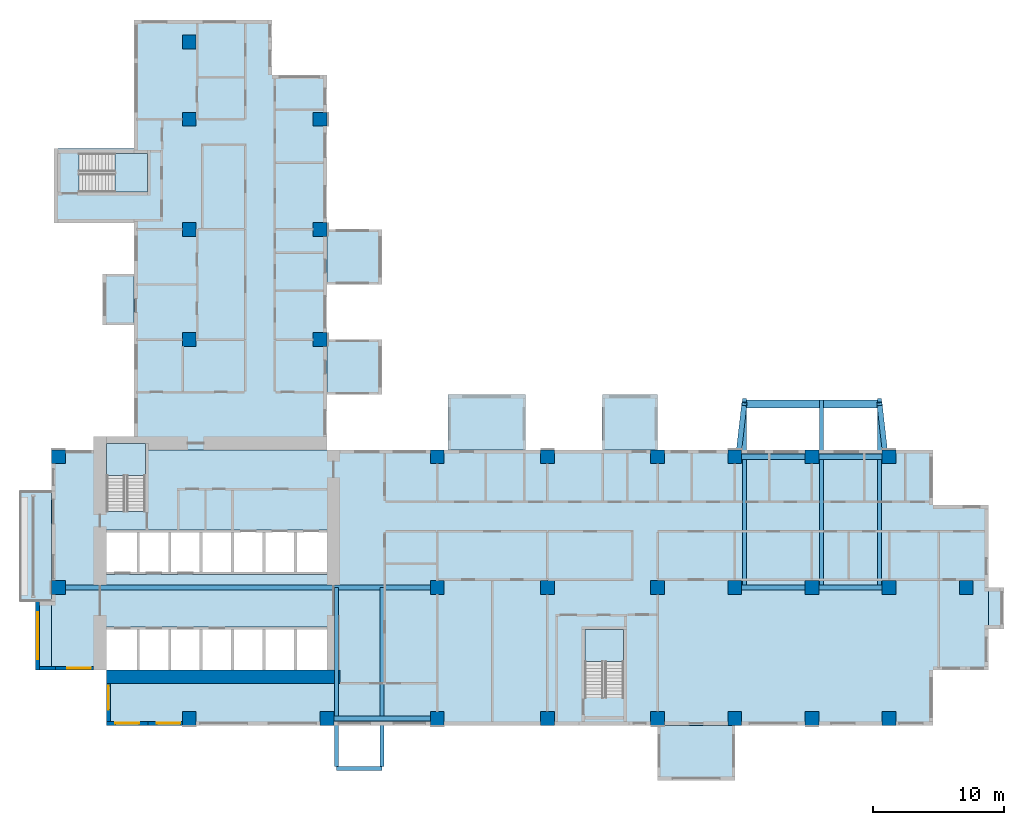
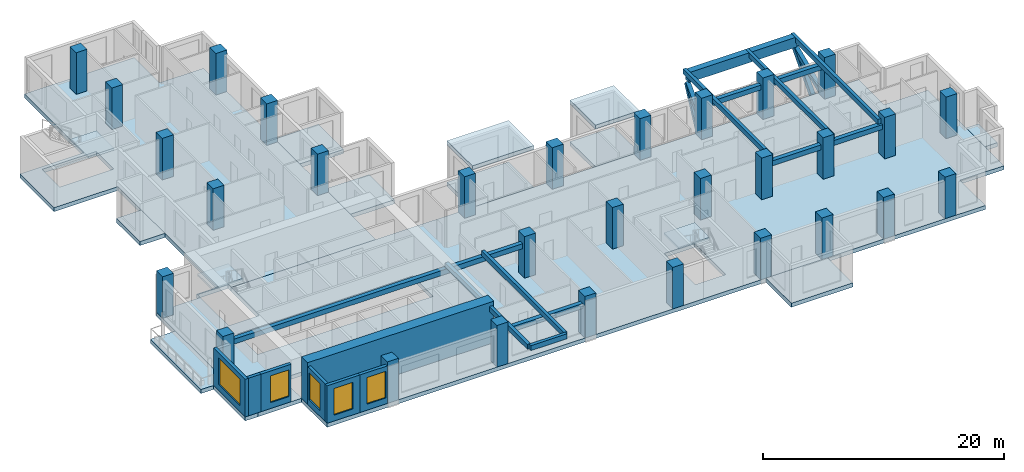
# One storey, part 1 of 15: 30 columns, 16 slabs, 13 beams, 7 walls, 5 windows, 4 members, 5 openings, 3 elements without a shape of their own.
"""IFC4 building model written with IfcOpenShell, lengths in metres."""

from ifc_helpers import new_model, si_unit, direction, frame, frame_2d, origin, origin_2d, place, context, subcontext, project, spatial, polyline, rectangle, hollow_rectangle, outline, extrude, source, transform, mapped, material, layer, layer_set, material_profile, profile_set, type_object, element, fill, aggregate, save


model = new_model("IFC4")

# Units and contexts
model_context = context("Model", 3, precision=1e-05, world=origin(), true_north=direction((0.0, 1.0)))
body_context = subcontext(model_context, "Body", "Model", "MODEL_VIEW")
ifc_project = project(units=[si_unit("LENGTHUNIT", "METRE"), si_unit("AREAUNIT", "SQUARE_METRE"), si_unit("VOLUMEUNIT", "CUBIC_METRE"), si_unit("PLANEANGLEUNIT", "RADIAN"), si_unit("MASSUNIT", "GRAM", prefix="KILO")], contexts=[model_context])

# Site, building, storey
site_placement = place(None, origin())
site = spatial("IfcSite", under=ifc_project, at=site_placement, CompositionType="ELEMENT")
building_placement = place(site_placement, origin())
building = spatial("IfcBuilding", under=site, at=building_placement, Name="Aurelian Terraces", CompositionType="ELEMENT")
storey_placement = place(building_placement, frame((0.0, 0.0, 107.7)))
storey = spatial("IfcBuildingStorey", under=building, at=storey_placement, Name="L23", CompositionType="ELEMENT", Elevation=107.7)

# Columns
ifc_material_1 = material(Name="Concrete fc' 83 MPa", Category="concrete")
ifc_material_profile_1 = material_profile(ifc_material_1, rectangle(XDim=1.05, YDim=1.05, at=origin_2d()))
ifc_profile_set_1 = profile_set([ifc_material_profile_1], Name="Concrete fc' 83 MPa")
column_type = type_object("IfcColumnType", Name="RC COLUMN 1050X1050 FC83", PredefinedType="COLUMN", material=ifc_profile_set_1)
shared_shape_1 = source(origin(), body_context, "Body", "SweptSolid", [
    extrude(rectangle(XDim=1.05, YDim=1.05, at=origin_2d()), origin(), (0.0, 0.0, 1.0), 4.2),
])
for number, where, z_axis, x_axis, name in (
    (1, (10.5, 0.525, 0.0), (0.0, 0.0, 1.0), (1.0, 0.0, 0.0), "Column 2/A L23"),
    (2, (21.0, 0.525, 0.0), (0.0, 0.0, 1.0), (1.0, 0.0, 0.0), "Column 3/A L23"),
    (3, (29.4, 0.525, 0.0), (0.0, 0.0, 1.0), (1.0, 0.0, 0.0), "Column 4/A L23"),
    (4, (37.8, 0.525, 0.0), (0.0, 0.0, 1.0), (1.0, 0.0, 0.0), "Column 5/A L23"),
    (5, (46.2, 0.525, 0.0), (0.0, 0.0, 1.0), (1.0, 0.0, 0.0), "Column 6/A L23"),
    (6, (52.08, 0.525, 0.0), (0.0, 0.0, 1.0), (1.0, 0.0, 0.0), "Column 7/A L23"),
    (7, (57.96, 0.525, 0.0), (0.0, 0.0, 1.0), (1.0, 0.0, 0.0), "Column 8/A L23"),
    (8, (63.84, 0.525, 0.0), (0.0, 0.0, 1.0), (1.0, 0.0, 0.0), "Column 9/A L23"),
    (9, (0.525, 10.5, 0.0), (0.0, 0.0, 1.0), (1.0, 0.0, 0.0), "Column 1/B L23"),
    (10, (29.4, 10.5, 0.0), (0.0, 0.0, 1.0), (1.0, 0.0, 0.0), "Column 4/B L23"),
    (11, (37.8, 10.5, 0.0), (0.0, 0.0, 1.0), (1.0, 0.0, 0.0), "Column 5/B L23"),
    (12, (46.2, 10.5, 0.0), (0.0, 0.0, 1.0), (1.0, 0.0, 0.0), "Column 6/B L23"),
    (13, (52.08, 10.5, 0.0), (0.0, 0.0, 1.0), (1.0, 0.0, 0.0), "Column 7/B L23"),
    (14, (57.96, 10.5, 0.0), (0.0, 0.0, 1.0), (1.0, 0.0, 0.0), "Column 8/B L23"),
    (15, (63.84, 10.5, 0.0), (0.0, 0.0, 1.0), (1.0, 0.0, 0.0), "Column 9/B L23"),
    (16, (69.72, 10.5, 0.0), (0.0, 0.0, 1.0), (1.0, 0.0, 0.0), "Column 10/B L23"),
    (17, (0.525, 20.475, 0.0), (0.0, 0.0, 1.0), (1.0, 0.0, 0.0), "Column 1/C L23"),
    (18, (29.4, 20.475, 0.0), (0.0, 0.0, 1.0), (1.0, 0.0, 0.0), "Column 4/C L23"),
    (19, (37.8, 20.475, 0.0), (0.0, 0.0, 1.0), (1.0, 0.0, 0.0), "Column 5/C L23"),
    (20, (46.2, 20.475, 0.0), (0.0, 0.0, 1.0), (1.0, 0.0, 0.0), "Column 6/C L23"),
    (21, (52.08, 20.475, 0.0), (0.0, 0.0, 1.0), (1.0, 0.0, 0.0), "Column 7/C L23"),
    (22, (57.96, 20.475, 0.0), (0.0, 0.0, 1.0), (1.0, 0.0, 0.0), "Column 8/C L23"),
    (23, (63.84, 20.475, 0.0), (0.0, 0.0, 1.0), (1.0, 0.0, 0.0), "Column 9/C L23"),
    (24, (10.5, 29.4, 0.0), (0.0, 0.0, 1.0), (1.0, 0.0, 0.0), "Column 2/D L23"),
    (25, (20.475, 29.4, 0.0), (0.0, 0.0, 1.0), (1.0, 0.0, 0.0), "Column 3/D L23"),
    (26, (10.5, 37.8, 0.0), (0.0, 0.0, 1.0), (1.0, 0.0, 0.0), "Column 2/E L23"),
    (27, (20.475, 37.8, 0.0), (0.0, 0.0, 1.0), (1.0, 0.0, 0.0), "Column 3/E L23"),
    (28, (10.5, 46.2, 0.0), (0.0, 0.0, 1.0), (1.0, 0.0, 0.0), "Column 2/F L23"),
    (29, (20.475, 46.2, 0.0), (0.0, 0.0, 1.0), (1.0, 0.0, 0.0), "Column 3/F L23"),
    (30, (10.5, 52.08, 0.0), (0.0, 0.0, 1.0), (1.0, 0.0, 0.0), "Column 2/G L23"),
):
    element("IfcColumn", number, at=place(storey_placement, frame(where, z_axis=z_axis, x_axis=x_axis)), inside=storey, type_object=column_type, Name=name, PredefinedType="COLUMN", context=body_context, shape_type="MappedRepresentation", body=[
        mapped(shared_shape_1, transform((0.0, 0.0, 0.0), scale=1.0)),
    ])

# Members
ifc_material_2 = material(Name="Steel ASTM A500 Gr C", Category="steel")
ifc_material_profile_2 = material_profile(ifc_material_2, hollow_rectangle(XDim=0.4064, YDim=0.4064, WallThickness=0.0177, at=origin_2d()))
ifc_profile_set_2 = profile_set([ifc_material_profile_2], Name="Steel ASTM A500 Gr C")
member_type = type_object("IfcMemberType", Name="BLOCK KNEE BRACE HSS16X16X3/4", PredefinedType="BRACE", material=ifc_profile_set_2)
member_1_placement = place(storey_placement, frame((52.805, 24.48, 2.65), z_axis=(-0.094227100303, -0.826981374428, -0.554277060609), x_axis=(0.99357125103, -0.11320852056, 0.0)))
element("IfcMember", 31, at=member_1_placement, inside=storey, type_object=member_type, Name="Block knee brace K02.1.1", PredefinedType="BRACE", context=body_context, shape_type="SweptSolid", body=[
    extrude(hollow_rectangle(XDim=0.4064, YDim=0.4064, WallThickness=0.0177, at=origin_2d()), origin(), (0.0, 0.0, 1.0), 4.5104),
])
member_2_placement = place(storey_placement, frame((52.805, 24.48, 2.65), z_axis=(-0.063822501659, -0.560136308677, -0.825938256762), x_axis=(0.99357125103, -0.11320852056, 0.0)))
element("IfcMember", 32, at=member_2_placement, inside=storey, type_object=member_type, Name="Block knee brace K02.1.2", PredefinedType="BRACE", context=body_context, shape_type="SweptSolid", body=[
    extrude(hollow_rectangle(XDim=0.4064, YDim=0.4064, WallThickness=0.0177, at=origin_2d()), origin(), (0.0, 0.0, 1.0), 6.6591),
])

# Beams
ifc_material_3 = material(Name="Concrete fc' 55 MPa", Category="concrete")
ifc_material_profile_3 = material_profile(ifc_material_3, rectangle(XDim=0.6, YDim=1.0, at=origin_2d()))
ifc_profile_set_3 = profile_set([ifc_material_profile_3], Name="Concrete fc' 55 MPa")
beam_type_1 = type_object("IfcBeamType", Name="BLOCK TRANSFER GIRDER 600X1000", PredefinedType="BEAM", material=ifc_profile_set_3)
beam_1_placement = place(storey_placement, frame((52.805, 24.48, 3.3), z_axis=(1.0, 0.0, 0.0), x_axis=(0.0, 1.0, 0.0)))
element("IfcBeam", 33, at=beam_1_placement, inside=storey, type_object=beam_type_1, Name="Block transfer girder K02", PredefinedType="BEAM", context=body_context, shape_type="SweptSolid", body=[
    extrude(rectangle(XDim=0.6, YDim=1.0, at=origin_2d()), origin(), (0.0, 0.0, 1.0), 10.31),
])
ifc_material_4 = material(Name="Concrete fc' 40 MPa", Category="concrete")
ifc_material_profile_4 = material_profile(ifc_material_4, rectangle(XDim=0.4, YDim=0.5, at=origin_2d()))
ifc_profile_set_4 = profile_set([ifc_material_profile_4], Name="Concrete fc' 40 MPa")
beam_type_2 = type_object("IfcBeamType", Name="CONCRETE EDGE GIRDER 400X500", PredefinedType="BEAM", material=ifc_profile_set_4)
shared_shape_2 = source(origin(), body_context, "Body", "SweptSolid", [
    extrude(rectangle(XDim=0.4, YDim=0.5, at=origin_2d()), origin(), (0.0, 0.0, 1.0), 4.83),
])
for number, where, z_axis, x_axis, name in (
    (34, (52.605, 20.475, 3.05), (1.0, 0.0, 0.0), (0.0, 1.0, 0.0), "Box girder L23 O191"),
    (35, (58.485, 20.475, 3.05), (1.0, 0.0, 0.0), (0.0, 1.0, 0.0), "Box girder L23 O192"),
    (36, (52.605, 10.5, 3.05), (1.0, 0.0, 0.0), (0.0, 1.0, 0.0), "Box girder L23 I193"),
    (37, (58.485, 10.5, 3.05), (1.0, 0.0, 0.0), (0.0, 1.0, 0.0), "Box girder L23 I194"),
):
    element("IfcBeam", number, at=place(storey_placement, frame(where, z_axis=z_axis, x_axis=x_axis)), inside=storey, type_object=beam_type_2, Name=name, PredefinedType="BEAM", context=body_context, shape_type="MappedRepresentation", body=[
        mapped(shared_shape_2, transform((0.0, 0.0, 0.0), scale=1.0)),
    ])
ifc_material_profile_5 = material_profile(ifc_material_4, rectangle(XDim=0.3, YDim=0.5, at=origin_2d()))
ifc_profile_set_5 = profile_set([ifc_material_profile_5], Name="Concrete fc' 40 MPa")
beam_type_3 = type_object("IfcBeamType", Name="CONCRETE CANTILEVER BEAM 300X500", PredefinedType="BEAM", material=ifc_profile_set_5)
shared_shape_3 = source(origin(), body_context, "Body", "SweptSolid", [
    extrude(rectangle(XDim=0.3, YDim=0.5, at=origin_2d()), origin(), (0.0, 0.0, 1.0), 13.625),
])
for number, where, z_axis, x_axis, name in (
    (38, (21.725, -3.125, 3.55), (0.0, 1.0, 0.0), (-1.0, 0.0, 0.0), "Box cantilever beam J35.1"),
    (39, (25.2, -3.125, 3.55), (0.0, 1.0, 0.0), (-1.0, 0.0, 0.0), "Box cantilever beam J35.2"),
):
    element("IfcBeam", number, at=place(storey_placement, frame(where, z_axis=z_axis, x_axis=x_axis)), inside=storey, type_object=beam_type_3, Name=name, PredefinedType="BEAM", context=body_context, shape_type="MappedRepresentation", body=[
        mapped(shared_shape_3, transform((0.0, 0.0, 0.0), scale=1.0)),
    ])
shared_shape_4 = source(origin(), body_context, "Body", "SweptSolid", [
    extrude(rectangle(XDim=0.4, YDim=0.5, at=origin_2d()), origin(), (0.0, 0.0, 1.0), 27.825),
])
beam_2_placement = place(storey_placement, frame((1.05, 10.5, 3.05), z_axis=(1.0, 0.0, 0.0), x_axis=(0.0, 1.0, 0.0)))
element("IfcBeam", 40, at=beam_2_placement, inside=storey, type_object=beam_type_2, Name="Box girder L23 I72", PredefinedType="BEAM", context=body_context, shape_type="MappedRepresentation", body=[
    mapped(shared_shape_4, transform((0.0, 0.0, 0.0), scale=1.0)),
])
shared_shape_5 = source(origin(), body_context, "Body", "SweptSolid", [
    extrude(rectangle(XDim=0.4, YDim=0.5, at=origin_2d()), origin(), (0.0, 0.0, 1.0), 7.35),
])
beam_3_placement = place(storey_placement, frame((21.525, 0.525, 3.05), z_axis=(1.0, 0.0, 0.0), x_axis=(0.0, 1.0, 0.0)))
element("IfcBeam", 41, at=beam_3_placement, inside=storey, type_object=beam_type_2, Name="Box girder L23 O71", PredefinedType="BEAM", context=body_context, shape_type="MappedRepresentation", body=[
    mapped(shared_shape_5, transform((0.0, 0.0, 0.0), scale=1.0)),
])
shared_shape_6 = source(origin(), body_context, "Body", "SweptSolid", [
    extrude(rectangle(XDim=0.3, YDim=0.5, at=origin_2d()), origin(), (0.0, 0.0, 1.0), 3.475),
])
beam_4_placement = place(storey_placement, frame((21.725, -3.275, 3.55), z_axis=(1.0, 0.0, 0.0), x_axis=(0.0, 1.0, 0.0)))
element("IfcBeam", 42, at=beam_4_placement, inside=storey, type_object=beam_type_3, Name="Box tip beam J35", PredefinedType="BEAM", context=body_context, shape_type="MappedRepresentation", body=[
    mapped(shared_shape_6, transform((0.0, 0.0, 0.0), scale=1.0)),
])
shared_shape_7 = source(origin(), body_context, "Body", "SweptSolid", [
    extrude(rectangle(XDim=0.3, YDim=0.5, at=origin_2d()), origin(), (0.0, 0.0, 1.0), 14.4),
])
for number, where, z_axis, x_axis, name in (
    (43, (52.805, 24.9, 3.55), (0.0, -1.0, 0.0), (1.0, 0.0, 0.0), "Box cantilever beam K02.1"),
    (44, (63.115, 24.9, 3.55), (0.0, -1.0, 0.0), (1.0, 0.0, 0.0), "Box cantilever beam K02.2"),
):
    element("IfcBeam", number, at=place(storey_placement, frame(where, z_axis=z_axis, x_axis=x_axis)), inside=storey, type_object=beam_type_3, Name=name, PredefinedType="BEAM", context=body_context, shape_type="MappedRepresentation", body=[
        mapped(shared_shape_7, transform((0.0, 0.0, 0.0), scale=1.0)),
    ])
shared_shape_8 = source(origin(), body_context, "Body", "SweptSolid", [
    extrude(rectangle(XDim=0.3, YDim=0.5, at=origin_2d()), origin(), (0.0, 0.0, 1.0), 14.28),
])
beam_5_placement = place(storey_placement, frame((58.685, 24.78, 3.55), z_axis=(0.0, -1.0, 0.0), x_axis=(1.0, 0.0, 0.0)))
element("IfcBeam", 45, at=beam_5_placement, inside=storey, type_object=beam_type_3, Name="Box cantilever beam K02.m1", PredefinedType="BEAM", context=body_context, shape_type="MappedRepresentation", body=[
    mapped(shared_shape_8, transform((0.0, 0.0, 0.0), scale=1.0)),
])

# Members
shared_shape_9 = source(origin(), body_context, "Body", "SweptSolid", [
    extrude(hollow_rectangle(XDim=0.4064, YDim=0.4064, WallThickness=0.0177, at=origin_2d()), origin(), (0.0, 0.0, 1.0), 4.5104),
])
member_3_placement = place(storey_placement, frame((63.115, 24.48, 2.65), z_axis=(0.094227100303, -0.826981374428, -0.554277060609), x_axis=(0.99357125103, 0.11320852056, 0.0)))
element("IfcMember", 46, at=member_3_placement, inside=storey, type_object=member_type, Name="Block knee brace K02.2.1", PredefinedType="BRACE", context=body_context, shape_type="MappedRepresentation", body=[
    mapped(shared_shape_9, transform((0.0, 0.0, 0.0), scale=1.0)),
])
shared_shape_10 = source(origin(), body_context, "Body", "SweptSolid", [
    extrude(hollow_rectangle(XDim=0.4064, YDim=0.4064, WallThickness=0.0177, at=origin_2d()), origin(), (0.0, 0.0, 1.0), 6.6591),
])
member_4_placement = place(storey_placement, frame((63.115, 24.48, 2.65), z_axis=(0.063822501659, -0.560136308677, -0.825938256762), x_axis=(0.99357125103, 0.11320852056, 0.0)))
element("IfcMember", 47, at=member_4_placement, inside=storey, type_object=member_type, Name="Block knee brace K02.2.2", PredefinedType="BRACE", context=body_context, shape_type="MappedRepresentation", body=[
    mapped(shared_shape_10, transform((0.0, 0.0, 0.0), scale=1.0)),
])

# Slabs
ifc_layer_1 = layer(ifc_material_4, 0.4)
ifc_layer_set_1 = layer_set([ifc_layer_1], Name="Balcony slab 400")
slab_type_1 = type_object("IfcSlabType", Name="Balcony slab 400", PredefinedType="NOTDEFINED", material=ifc_layer_set_1)
slab_1_placement = place(storey_placement, frame((0.0, 0.0, -0.4)))
element("IfcSlab", 48, at=slab_1_placement, inside=storey, type_object=slab_type_1, Name="Balcony slab L23 F20.38", PredefinedType="NOTDEFINED", context=body_context, shape_type="SweptSolid", body=[
    extrude(outline(polyline([(0.0, 17.85), (0.0, 9.45), (-2.4, 9.45), (-2.4, 17.85), (0.0, 17.85)])), origin(), (0.0, 0.0, 1.0), 0.4),
])
ifc_layer_2 = layer(ifc_material_4, 0.4)
ifc_layer_set_2 = layer_set([ifc_layer_2], Name="Bay floor 400")
slab_type_2 = type_object("IfcSlabType", Name="Bay floor 400", PredefinedType="NOTDEFINED", material=ifc_layer_set_2)
slab_2_placement = place(storey_placement, frame((0.0, 0.0, -0.4)))
element("IfcSlab", 49, at=slab_2_placement, inside=storey, type_object=slab_type_2, Name="Bay floor L23 F20.39", PredefinedType="NOTDEFINED", context=body_context, shape_type="SweptSolid", body=[
    extrude(outline(polyline([(0.0, 9.45), (0.0, 4.2), (-1.2, 4.2), (-1.2, 9.45), (0.0, 9.45)])), origin(), (0.0, 0.0, 1.0), 0.4),
])
ifc_layer_3 = layer(ifc_material_4, 0.41)
ifc_layer_set_3 = layer_set([ifc_layer_3], Name="Box floor 410")
slab_type_3 = type_object("IfcSlabType", Name="Box floor 410", PredefinedType="NOTDEFINED", material=ifc_layer_set_3)
slab_3_placement = place(storey_placement, frame((0.0, 0.0, -0.41)))
element("IfcSlab", 50, at=slab_3_placement, inside=storey, type_object=slab_type_3, Name="Box floor L23 J34", PredefinedType="NOTDEFINED", context=body_context, shape_type="SweptSolid", body=[
    extrude(outline(polyline([(3.9, 34.4), (3.9, 30.5), (6.3, 30.5), (6.3, 34.4), (3.9, 34.4)])), origin(), (0.0, 0.0, 1.0), 0.41),
])
ifc_layer_4 = layer(ifc_material_4, 0.4)
ifc_layer_set_4 = layer_set([ifc_layer_4], Name="Box roof 400")
slab_type_4 = type_object("IfcSlabType", Name="Box roof 400", PredefinedType="ROOF", material=ifc_layer_set_4)
slab_4_placement = place(storey_placement, frame((0.0, 0.0, 3.8)))
element("IfcSlab", 51, at=slab_4_placement, inside=storey, type_object=slab_type_4, Name="Box roof J30", PredefinedType="ROOF", context=body_context, shape_type="SweptSolid", body=[
    extrude(outline(polyline([(46.2, 25.2), (42.0, 25.2), (42.0, 21.0), (46.2, 21.0), (46.2, 25.2)])), origin(), (0.0, 0.0, 1.0), 0.4),
])
ifc_layer_5 = layer(ifc_material_4, 0.4)
ifc_layer_set_5 = layer_set([ifc_layer_5], Name="PT FLAT PLATE 400")
slab_type_5 = type_object("IfcSlabType", Name="PT FLAT PLATE 400", PredefinedType="FLOOR", material=ifc_layer_set_5)
shared_shape_11 = source(origin(), body_context, "Body", "SweptSolid", [
    extrude(outline(polyline([(67.2, 16.8), (71.4, 16.8), (71.4, 4.2), (67.2, 4.2), (67.2, 0.0), (21.0, 0.0), (4.2, 0.0), (4.2, 4.2), (0.0, 4.2), (0.0, 21.0), (4.21, 21.0), (4.21, 16.31), (7.14, 16.31), (7.14, 21.0), (21.0, 21.0), (67.2, 21.0), (67.2, 16.8)]), holes=[polyline([(40.66, 2.11), (43.59, 2.11), (43.59, 7.29), (40.66, 7.29), (40.66, 2.11)]), polyline([(4.21, 7.49), (4.21, 4.21), (20.99, 4.21), (20.99, 7.49), (4.21, 7.49)]), polyline([(4.21, 14.89), (4.21, 11.51), (20.99, 11.51), (20.99, 14.89), (4.21, 14.89)])]), origin(), (0.0, 0.0, 1.0), 0.4),
])
slab_5_placement = place(storey_placement, frame((0.0, 0.0, -0.4)))
element("IfcSlab", 52, at=slab_5_placement, inside=storey, type_object=slab_type_5, Name="Floor slab S L23", PredefinedType="FLOOR", context=body_context, shape_type="MappedRepresentation", body=[
    mapped(shared_shape_11, transform((0.0, 0.0, 0.0), scale=1.0)),
])
shared_shape_12 = source(origin(), body_context, "Body", "SweptSolid", [
    extrude(outline(polyline([(0.2, 43.95), (6.3, 43.95), (6.3, 49.56), (6.3, 53.76), (10.5, 53.76), (16.8, 53.76), (16.8, 49.56), (21.0, 49.56), (21.0, 21.0), (7.14, 21.0), (7.14, 21.49), (4.21, 21.49), (4.21, 21.0), (4.2, 21.0), (4.2, 21.6), (6.3, 21.6), (6.3, 38.3), (0.2, 38.3), (0.2, 43.95)]), holes=[polyline([(7.29, 43.59), (2.11, 43.59), (2.11, 40.66), (7.29, 40.66), (7.29, 43.59)])]), origin(), (0.0, 0.0, 1.0), 0.4),
])
slab_6_placement = place(storey_placement, frame((0.0, 0.0, -0.4)))
element("IfcSlab", 53, at=slab_6_placement, inside=storey, type_object=slab_type_5, Name="Floor slab W L23", PredefinedType="FLOOR", context=body_context, shape_type="MappedRepresentation", body=[
    mapped(shared_shape_12, transform((0.0, 0.0, 0.0), scale=1.0)),
])
shared_shape_13 = source(origin(), body_context, "Body", "SweptSolid", [
    extrude(outline(polyline([(46.2, -4.2), (52.08, -4.2), (52.08, 0.0), (46.2, 0.0), (46.2, -4.2)])), origin(), (0.0, 0.0, 1.0), 0.41),
])
slab_7_placement = place(storey_placement, frame((0.0, 0.0, -0.41)))
element("IfcSlab", 54, at=slab_7_placement, inside=storey, type_object=slab_type_3, Name="Box floor L23 J31", PredefinedType="NOTDEFINED", context=body_context, shape_type="MappedRepresentation", body=[
    mapped(shared_shape_13, transform((0.0, 0.0, 0.0), scale=1.0)),
])
shared_shape_14 = source(origin(), body_context, "Body", "SweptSolid", [
    extrude(outline(polyline([(71.4, 7.35), (71.4, 10.5), (72.6, 10.5), (72.6, 7.35), (71.4, 7.35)])), origin(), (0.0, 0.0, 1.0), 0.4),
])
slab_8_placement = place(storey_placement, frame((0.0, 0.0, -0.4)))
element("IfcSlab", 55, at=slab_8_placement, inside=storey, type_object=slab_type_2, Name="Bay floor L23 F04.15", PredefinedType="NOTDEFINED", context=body_context, shape_type="MappedRepresentation", body=[
    mapped(shared_shape_14, transform((0.0, 0.0, 0.0), scale=1.0)),
])
shared_shape_15 = source(origin(), body_context, "Body", "SweptSolid", [
    extrude(outline(polyline([(36.12, 25.2), (30.24, 25.2), (30.24, 21.0), (36.12, 21.0), (36.12, 25.2)])), origin(), (0.0, 0.0, 1.0), 0.41),
])
slab_9_placement = place(storey_placement, frame((0.0, 0.0, -0.41)))
element("IfcSlab", 56, at=slab_9_placement, inside=storey, type_object=slab_type_3, Name="Box floor L23 J29", PredefinedType="NOTDEFINED", context=body_context, shape_type="MappedRepresentation", body=[
    mapped(shared_shape_15, transform((0.0, 0.0, 0.0), scale=1.0)),
])
shared_shape_16 = source(origin(), body_context, "Body", "SweptSolid", [
    extrude(outline(polyline([(25.2, 25.2), (25.2, 29.4), (21.0, 29.4), (21.0, 25.2), (25.2, 25.2)])), origin(), (0.0, 0.0, 1.0), 0.41),
])
slab_10_placement = place(storey_placement, frame((0.0, 0.0, -0.41)))
element("IfcSlab", 57, at=slab_10_placement, inside=storey, type_object=slab_type_3, Name="Box floor L23 J32", PredefinedType="NOTDEFINED", context=body_context, shape_type="MappedRepresentation", body=[
    mapped(shared_shape_16, transform((0.0, 0.0, 0.0), scale=1.0)),
])
shared_shape_17 = source(origin(), body_context, "Body", "SweptSolid", [
    extrude(outline(polyline([(36.12, 25.2), (30.24, 25.2), (30.24, 21.0), (36.12, 21.0), (36.12, 25.2)])), origin(), (0.0, 0.0, 1.0), 0.4),
])
slab_11_placement = place(storey_placement, frame((0.0, 0.0, 3.8)))
element("IfcSlab", 58, at=slab_11_placement, inside=storey, type_object=slab_type_4, Name="Box roof J29", PredefinedType="ROOF", context=body_context, shape_type="MappedRepresentation", body=[
    mapped(shared_shape_17, transform((0.0, 0.0, 0.0), scale=1.0)),
])
shared_shape_18 = source(origin(), body_context, "Body", "SweptSolid", [
    extrude(outline(polyline([(25.2, 33.6), (25.2, 37.8), (21.0, 37.8), (21.0, 33.6), (25.2, 33.6)])), origin(), (0.0, 0.0, 1.0), 0.41),
])
slab_12_placement = place(storey_placement, frame((0.0, 0.0, -0.41)))
element("IfcSlab", 59, at=slab_12_placement, inside=storey, type_object=slab_type_3, Name="Box floor L23 J33", PredefinedType="NOTDEFINED", context=body_context, shape_type="MappedRepresentation", body=[
    mapped(shared_shape_18, transform((0.0, 0.0, 0.0), scale=1.0)),
])
shared_shape_19 = source(origin(), body_context, "Body", "SweptSolid", [
    extrude(outline(polyline([(46.2, 25.2), (42.0, 25.2), (42.0, 21.0), (46.2, 21.0), (46.2, 25.2)])), origin(), (0.0, 0.0, 1.0), 0.41),
])
slab_13_placement = place(storey_placement, frame((0.0, 0.0, -0.41)))
element("IfcSlab", 60, at=slab_13_placement, inside=storey, type_object=slab_type_3, Name="Box floor L23 J30", PredefinedType="NOTDEFINED", context=body_context, shape_type="MappedRepresentation", body=[
    mapped(shared_shape_19, transform((0.0, 0.0, 0.0), scale=1.0)),
])

# Stair, slab
stair_type = type_object("IfcStairType", Name="Stair 1400", PredefinedType="HALF_TURN_STAIR", material=ifc_material_4)
stair_1_placement = place(storey_placement, origin())
stair_1 = element("IfcStair", 61, at=stair_1_placement, inside=storey, type_object=stair_type, Name="L23 S1", PredefinedType="HALF_TURN_STAIR")
ifc_layer_6 = layer(ifc_material_4, 0.2)
ifc_layer_set_6 = layer_set([ifc_layer_6], Name="Stair landing 200")
slab_type_6 = type_object("IfcSlabType", Name="Stair landing 200", PredefinedType="LANDING", material=ifc_layer_set_6)
shared_shape_20 = source(origin(), body_context, "Body", "SweptSolid", [
    extrude(outline(polyline([(7.15, 19.05), (7.15, 21.5), (4.2, 21.5), (4.2, 19.05), (7.15, 19.05)])), origin(), (0.0, 0.0, 1.0), 0.2),
])
slab_14_placement = place(storey_placement, frame((0.0, 0.0, 1.9)))
slab_14 = element("IfcSlab", 62, at=slab_14_placement, type_object=slab_type_6, Name="S1 landing 1", PredefinedType="LANDING", context=body_context, shape_type="MappedRepresentation", body=[
    mapped(shared_shape_20, transform((0.0, 0.0, 0.0), scale=1.0)),
])
aggregate(stair_1, [slab_14])

stair_2_placement = place(storey_placement, origin())
stair_2 = element("IfcStair", 63, at=stair_2_placement, inside=storey, type_object=stair_type, Name="L23 S2", PredefinedType="HALF_TURN_STAIR")
shared_shape_21 = source(origin(), body_context, "Body", "SweptSolid", [
    extrude(outline(polyline([(43.6, 4.85), (43.6, 7.3), (40.65, 7.3), (40.65, 4.85), (43.6, 4.85)])), origin(), (0.0, 0.0, 1.0), 0.2),
])
slab_15_placement = place(storey_placement, frame((0.0, 0.0, 1.9)))
slab_15 = element("IfcSlab", 64, at=slab_15_placement, type_object=slab_type_6, Name="S2 landing 1", PredefinedType="LANDING", context=body_context, shape_type="MappedRepresentation", body=[
    mapped(shared_shape_21, transform((0.0, 0.0, 0.0), scale=1.0)),
])
aggregate(stair_2, [slab_15])

stair_3_placement = place(storey_placement, origin())
stair_3 = element("IfcStair", 65, at=stair_3_placement, inside=storey, type_object=stair_type, Name="L23 S3", PredefinedType="HALF_TURN_STAIR")
shared_shape_22 = source(origin(), body_context, "Body", "SweptSolid", [
    extrude(outline(polyline([(4.85, 40.65), (7.3, 40.65), (7.3, 43.6), (4.85, 43.6), (4.85, 40.65)])), origin(), (0.0, 0.0, 1.0), 0.2),
])
slab_16_placement = place(storey_placement, frame((0.0, 0.0, 1.9)))
slab_16 = element("IfcSlab", 66, at=slab_16_placement, type_object=slab_type_6, Name="S3 landing 1", PredefinedType="LANDING", context=body_context, shape_type="MappedRepresentation", body=[
    mapped(shared_shape_22, transform((0.0, 0.0, 0.0), scale=1.0)),
])
aggregate(stair_3, [slab_16])

# Wall, opening, window
ifc_material_5 = material(Name="Terracotta rainscreen cladding", Category="masonry")
ifc_layer_7 = layer(ifc_material_5, 0.3)
ifc_layer_set_7 = layer_set([ifc_layer_7], Name="EW-300")
wall_type_1 = type_object("IfcWallType", Name="EW-300", PredefinedType="STANDARD", material=ifc_layer_set_7)
wall_1_placement = place(storey_placement, frame((7.35, 0.15, 0.0), z_axis=(0.0, 0.0, 1.0), x_axis=(1.0, 0.0, 0.0)))
wall_1 = element("IfcWall", 67, at=wall_1_placement, inside=storey, type_object=wall_type_1, Name="External wall L23 F01.2", PredefinedType="STANDARD", context=body_context, shape_type="SweptSolid", body=[
    extrude(rectangle(XDim=2.625, YDim=0.3, at=frame_2d((1.3125, 0.0))), origin(), (0.0, 0.0, 1.0), 3.8),
])
shared_shape_23 = source(origin(), body_context, "Body", "SweptSolid", [
    extrude(rectangle(XDim=1.8, YDim=2.7, at=frame_2d((0.9, 1.35))), frame((0.0, 0.16, 0.0), z_axis=(0.0, -1.0, 0.0), x_axis=(1.0, 0.0, 0.0)), (0.0, 0.0, 1.0), 0.32),
])
opening_1_placement = place(wall_1_placement, frame((0.675, 0.0, 0.6)))
opening_1 = element("IfcOpeningElement", 68, at=opening_1_placement, cuts=wall_1, Name="Opening W1827", PredefinedType="OPENING", context=body_context, shape_type="MappedRepresentation", body=[
    mapped(shared_shape_23, transform((0.0, 0.0, 0.0), scale=1.0)),
])
ifc_material_6 = material(Name="Clear glazing", Category="glass")
window_type_1 = type_object("IfcWindowType", Name="W-1800x2700", PartitioningType="SINGLE_PANEL", PredefinedType="WINDOW", material=ifc_material_6)
shared_shape_24 = source(origin(), body_context, "Body", "SweptSolid", [
    extrude(rectangle(XDim=1.8, YDim=2.7, at=frame_2d((0.9, 1.35))), frame((0.0, 0.03, 0.0), z_axis=(0.0, -1.0, 0.0), x_axis=(1.0, 0.0, 0.0)), (0.0, 0.0, 1.0), 0.06),
])
window_1_placement = place(opening_1_placement, origin())
window_1 = element("IfcWindow", 69, at=window_1_placement, inside=storey, type_object=window_type_1, Name="Window L23 L23-F01-02-0", OverallHeight=2.7, OverallWidth=1.8, PartitioningType="SINGLE_PANEL", PredefinedType="WINDOW", context=body_context, shape_type="MappedRepresentation", body=[
    mapped(shared_shape_24, transform((0.0, 0.0, 0.0), scale=1.0)),
])
fill(opening_1, window_1)

# Wall
ifc_layer_8 = layer(ifc_material_1, 1.0)
ifc_layer_set_8 = layer_set([ifc_layer_8], Name="CORE WALL 1000 FC83")
wall_type_2 = type_object("IfcWallType", Name="CORE WALL 1000 FC83", PredefinedType="SHEAR", material=ifc_layer_set_8)
shared_shape_25 = source(origin(), body_context, "Body", "SweptSolid", [
    extrude(rectangle(XDim=17.8, YDim=1.0, at=frame_2d((8.9, 0.0))), origin(), (0.0, 0.0, 1.0), 4.2),
])
wall_2_placement = place(storey_placement, frame((4.2, 3.7, 0.0), z_axis=(0.0, 0.0, 1.0), x_axis=(1.0, 0.0, 0.0)))
element("IfcWall", 70, at=wall_2_placement, inside=storey, type_object=wall_type_2, Name="Core wall S L23", PredefinedType="SHEAR", context=body_context, shape_type="MappedRepresentation", body=[
    mapped(shared_shape_25, transform((0.0, 0.0, 0.0), scale=1.0)),
])

# Wall, opening, window
shared_shape_26 = source(origin(), body_context, "Body", "SweptSolid", [
    extrude(rectangle(XDim=3.15, YDim=0.3, at=frame_2d((1.575, 0.0))), origin(), (0.0, 0.0, 1.0), 3.8),
])
wall_3_placement = place(storey_placement, frame((4.2, 0.15, 0.0), z_axis=(0.0, 0.0, 1.0), x_axis=(1.0, 0.0, 0.0)))
wall_3 = element("IfcWall", 71, at=wall_3_placement, inside=storey, type_object=wall_type_1, Name="External wall L23 F01.1", PredefinedType="STANDARD", context=body_context, shape_type="MappedRepresentation", body=[
    mapped(shared_shape_26, transform((0.0, 0.0, 0.0), scale=1.0)),
])
opening_2_placement = place(wall_3_placement, frame((0.675, 0.0, 0.6)))
opening_2 = element("IfcOpeningElement", 72, at=opening_2_placement, cuts=wall_3, Name="Opening W1827", PredefinedType="OPENING", context=body_context, shape_type="MappedRepresentation", body=[
    mapped(shared_shape_23, transform((0.0, 0.0, 0.0), scale=1.0)),
])
window_2_placement = place(opening_2_placement, origin())
window_2 = element("IfcWindow", 73, at=window_2_placement, inside=storey, type_object=window_type_1, Name="Window L23 L23-F01-01-0", OverallHeight=2.7, OverallWidth=1.8, PartitioningType="SINGLE_PANEL", PredefinedType="WINDOW", context=body_context, shape_type="MappedRepresentation", body=[
    mapped(shared_shape_24, transform((0.0, 0.0, 0.0), scale=1.0)),
])
fill(opening_2, window_2)

# Wall
shared_shape_27 = source(origin(), body_context, "Body", "SweptSolid", [
    extrude(rectangle(XDim=1.2, YDim=0.3, at=frame_2d((0.6, 0.0))), origin(), (0.0, 0.0, 1.0), 3.8),
])
wall_4_placement = place(storey_placement, frame((0.3, 4.35, 0.0), z_axis=(0.0, 0.0, 1.0), x_axis=(-1.0, 0.0, 0.0)))
element("IfcWall", 74, at=wall_4_placement, inside=storey, type_object=wall_type_1, Name="Bay return L23 F20.39.2", PredefinedType="STANDARD", context=body_context, shape_type="MappedRepresentation", body=[
    mapped(shared_shape_27, transform((0.0, 0.0, 0.0), scale=1.0)),
])

# Wall, opening, window
shared_shape_28 = source(origin(), body_context, "Body", "SweptSolid", [
    extrude(rectangle(XDim=3.2, YDim=0.3, at=frame_2d((1.6, 0.0))), origin(), (0.0, 0.0, 1.0), 3.8),
])
wall_5_placement = place(storey_placement, frame((0.0, 4.35, 0.0), z_axis=(0.0, 0.0, 1.0), x_axis=(1.0, 0.0, 0.0)))
wall_5 = element("IfcWall", 75, at=wall_5_placement, inside=storey, type_object=wall_type_1, Name="External wall L23 F21.40", PredefinedType="STANDARD", context=body_context, shape_type="MappedRepresentation", body=[
    mapped(shared_shape_28, transform((0.0, 0.0, 0.0), scale=1.0)),
])
opening_3_placement = place(wall_5_placement, frame((1.2, 0.0, 0.6)))
opening_3 = element("IfcOpeningElement", 76, at=opening_3_placement, cuts=wall_5, Name="Opening W1827", PredefinedType="OPENING", context=body_context, shape_type="MappedRepresentation", body=[
    mapped(shared_shape_23, transform((0.0, 0.0, 0.0), scale=1.0)),
])
window_3_placement = place(opening_3_placement, origin())
window_3 = element("IfcWindow", 77, at=window_3_placement, inside=storey, type_object=window_type_1, Name="Window L23 L23-F21-40-0", OverallHeight=2.7, OverallWidth=1.8, PartitioningType="SINGLE_PANEL", PredefinedType="WINDOW", context=body_context, shape_type="MappedRepresentation", body=[
    mapped(shared_shape_24, transform((0.0, 0.0, 0.0), scale=1.0)),
])
fill(opening_3, window_3)

wall_6_placement = place(storey_placement, frame((4.35, 3.2, 0.0), z_axis=(0.0, 0.0, 1.0), x_axis=(0.0, -1.0, 0.0)))
wall_6 = element("IfcWall", 78, at=wall_6_placement, inside=storey, type_object=wall_type_1, Name="External wall L23 F22.41", PredefinedType="STANDARD", context=body_context, shape_type="MappedRepresentation", body=[
    mapped(shared_shape_28, transform((0.0, 0.0, 0.0), scale=1.0)),
])
opening_4_placement = place(wall_6_placement, frame((0.2, 0.0, 0.6)))
opening_4 = element("IfcOpeningElement", 79, at=opening_4_placement, cuts=wall_6, Name="Opening W1827", PredefinedType="OPENING", context=body_context, shape_type="MappedRepresentation", body=[
    mapped(shared_shape_23, transform((0.0, 0.0, 0.0), scale=1.0)),
])
window_4_placement = place(opening_4_placement, origin())
window_4 = element("IfcWindow", 80, at=window_4_placement, inside=storey, type_object=window_type_1, Name="Window L23 L23-F22-41-0", OverallHeight=2.7, OverallWidth=1.8, PartitioningType="SINGLE_PANEL", PredefinedType="WINDOW", context=body_context, shape_type="MappedRepresentation", body=[
    mapped(shared_shape_24, transform((0.0, 0.0, 0.0), scale=1.0)),
])
fill(opening_4, window_4)

shared_shape_29 = source(origin(), body_context, "Body", "SweptSolid", [
    extrude(rectangle(XDim=5.25, YDim=0.3, at=frame_2d((2.625, 0.0))), origin(), (0.0, 0.0, 1.0), 3.8),
])
wall_7_placement = place(storey_placement, frame((-1.05, 9.45, 0.0), z_axis=(0.0, 0.0, 1.0), x_axis=(0.0, -1.0, 0.0)))
wall_7 = element("IfcWall", 81, at=wall_7_placement, inside=storey, type_object=wall_type_1, Name="Bay wall L23 F20.39", PredefinedType="STANDARD", context=body_context, shape_type="MappedRepresentation", body=[
    mapped(shared_shape_29, transform((0.0, 0.0, 0.0), scale=1.0)),
])
shared_shape_30 = source(origin(), body_context, "Body", "SweptSolid", [
    extrude(rectangle(XDim=3.6, YDim=2.7, at=frame_2d((1.8, 1.35))), frame((0.0, 0.16, 0.0), z_axis=(0.0, -1.0, 0.0), x_axis=(1.0, 0.0, 0.0)), (0.0, 0.0, 1.0), 0.32),
])
opening_5_placement = place(wall_7_placement, frame((0.825, 0.0, 0.6)))
opening_5 = element("IfcOpeningElement", 82, at=opening_5_placement, cuts=wall_7, Name="Opening W3627", PredefinedType="OPENING", context=body_context, shape_type="MappedRepresentation", body=[
    mapped(shared_shape_30, transform((0.0, 0.0, 0.0), scale=1.0)),
])
window_type_2 = type_object("IfcWindowType", Name="W-3600x2700", PartitioningType="SINGLE_PANEL", PredefinedType="WINDOW", material=ifc_material_6)
shared_shape_31 = source(origin(), body_context, "Body", "SweptSolid", [
    extrude(rectangle(XDim=3.6, YDim=2.7, at=frame_2d((1.8, 1.35))), frame((0.0, 0.03, 0.0), z_axis=(0.0, -1.0, 0.0), x_axis=(1.0, 0.0, 0.0)), (0.0, 0.0, 1.0), 0.06),
])
window_5_placement = place(opening_5_placement, origin())
window_5 = element("IfcWindow", 83, at=window_5_placement, inside=storey, type_object=window_type_2, Name="Window L23 L23-F20-39-0", OverallHeight=2.7, OverallWidth=3.6, PartitioningType="SINGLE_PANEL", PredefinedType="WINDOW", context=body_context, shape_type="MappedRepresentation", body=[
    mapped(shared_shape_31, transform((0.0, 0.0, 0.0), scale=1.0)),
])
fill(opening_5, window_5)

save(model, "model.ifc")
